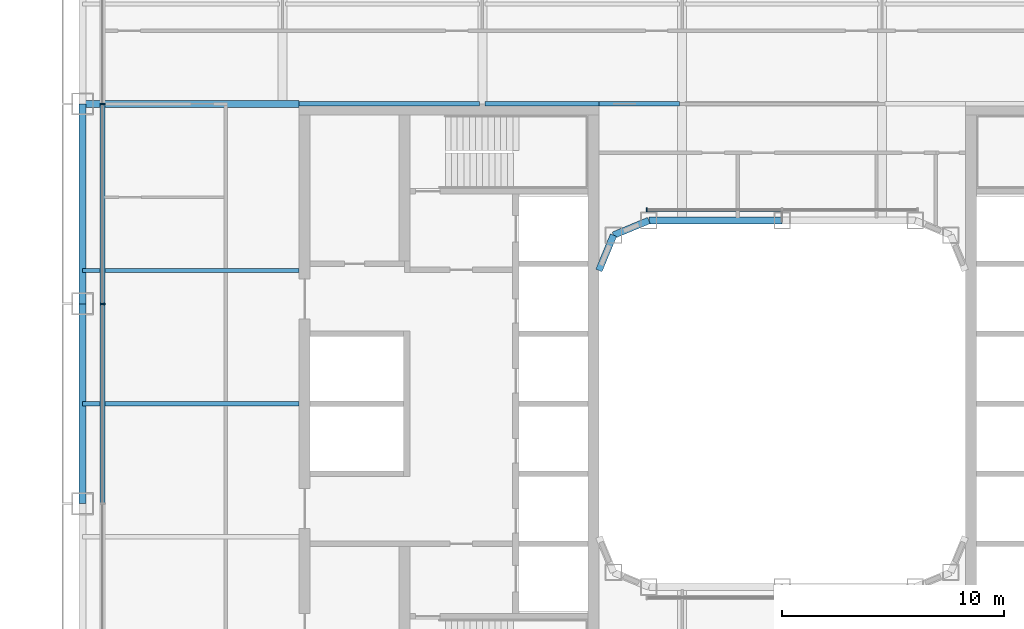
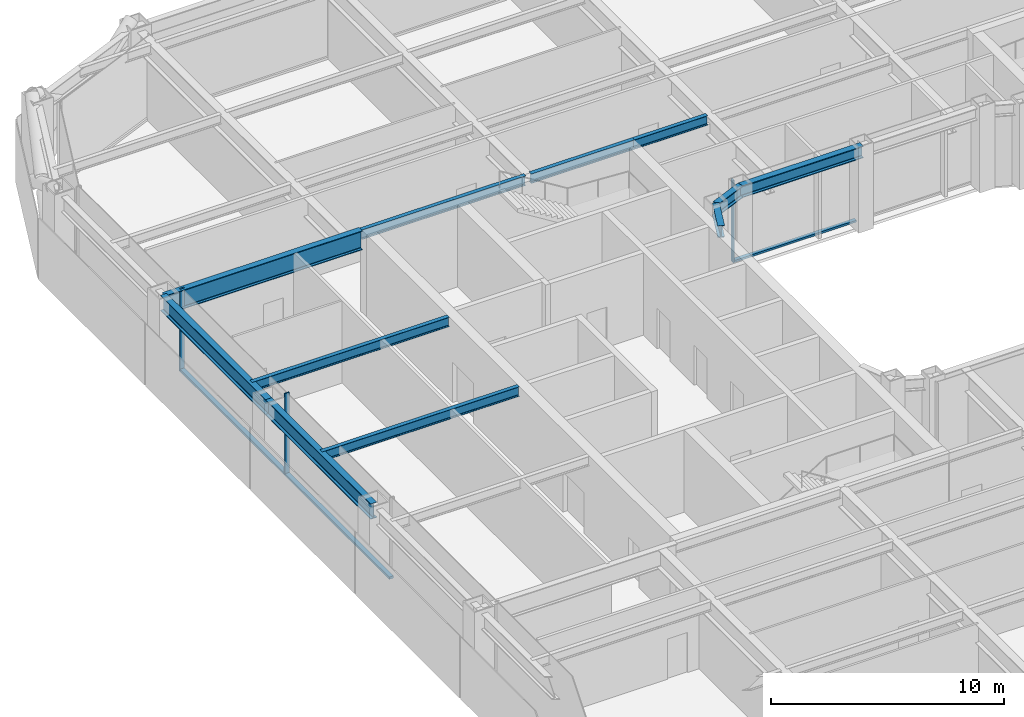
# One storey, part 6 of 27: 11 beams, 6 members, 2 elements without a shape of their own.
"""IFC4 building model written with IfcOpenShell, lengths in metres."""

from ifc_helpers import new_model, si_unit, direction, frame, origin, origin_2d, place, context, subcontext, project, spatial, rectangle, i_section, extrude, material, layer, layer_set, material_profile, profile_set, type_object, element, aggregate, save


model = new_model("IFC4")

# Units and contexts
model_context = context("Model", 3, precision=1e-05, world=origin(), true_north=direction((0.0, 1.0)))
body_context = subcontext(model_context, "Body", "Model", "MODEL_VIEW")
ifc_project = project(units=[si_unit("LENGTHUNIT", "METRE"), si_unit("AREAUNIT", "SQUARE_METRE"), si_unit("VOLUMEUNIT", "CUBIC_METRE"), si_unit("PLANEANGLEUNIT", "RADIAN"), si_unit("MASSUNIT", "GRAM", prefix="KILO")], contexts=[model_context])

# Site, building, storey
site_placement = place(None, origin())
site = spatial("IfcSite", under=ifc_project, at=site_placement, CompositionType="ELEMENT")
building_placement = place(site_placement, origin())
building = spatial("IfcBuilding", under=site, at=building_placement, Name="Siwar Civic Tower", CompositionType="ELEMENT")
storey_placement = place(building_placement, frame((0.0, 0.0, 89.699951171875)))
storey = spatial("IfcBuildingStorey", under=building, at=storey_placement, Name="L19", CompositionType="ELEMENT", Elevation=89.699951171875)

# Curtain wall, members
ifc_material_1 = material(Name="Aluminium and glass", Category="aluminium")
ifc_layer_1 = layer(ifc_material_1, 0.219970703125)
ifc_layer_set_1 = layer_set([ifc_layer_1], Name="Aluminium and glass")
curtain_wall_type_1 = type_object("IfcCurtainWallType", Name="ENV-CW-A", PredefinedType="NOTDEFINED", material=ifc_layer_set_1)
curtain_wall_1_placement = place(storey_placement, origin())
curtain_wall_1 = element("IfcCurtainWall", 1, at=curtain_wall_1_placement, inside=storey, type_object=curtain_wall_type_1, Name="Curtain wall A W", PredefinedType="NOTDEFINED")
ifc_material_2 = material(Name="Aluminium 6063-T6", Category="aluminium")
ifc_material_profile_1 = material_profile(ifc_material_2, rectangle(XDim=0.219970703125, YDim=0.070068359375, at=origin_2d()), Name="AL 220x70")
ifc_profile_set_1 = profile_set([ifc_material_profile_1], Name="Aluminium 6063-T6")
member_type_1 = type_object("IfcMemberType", Name="ENV-MULLION-A", PredefinedType="MULLION", material=ifc_profile_set_1)
member_1_placement = place(storey_placement, frame((-30.60009765625, 13.5, 0.0), z_axis=(0.0, 0.0, 1.0), x_axis=(1.0, 0.0, 0.0)))
member_1 = element("IfcMember", 2, at=member_1_placement, type_object=member_type_1, Name="Mullion A W 2", PredefinedType="MULLION", context=body_context, shape_type="SweptSolid", body=[
    extrude(rectangle(XDim=0.219970703125, YDim=0.070068359375, at=origin_2d()), origin(), (0.0, 0.0, 1.0), 4.300048828125),
])
member_2_placement = place(storey_placement, frame((-30.60009765625, 4.5, 0.0), z_axis=(0.0, 0.0, 1.0), x_axis=(1.0, 0.0, 0.0)))
member_2 = element("IfcMember", 3, at=member_2_placement, type_object=member_type_1, Name="Mullion A W 3", PredefinedType="MULLION", context=body_context, shape_type="SweptSolid", body=[
    extrude(rectangle(XDim=0.219970703125, YDim=0.070068359375, at=origin_2d()), origin(), (0.0, 0.0, 1.0), 4.300048828125),
])

# Curtain wall, member
ifc_material_3 = material(Name="Aluminium and glass", Category="aluminium")
ifc_layer_2 = layer(ifc_material_3, 0.179931640625)
ifc_layer_set_2 = layer_set([ifc_layer_2], Name="Aluminium and glass")
curtain_wall_type_2 = type_object("IfcCurtainWallType", Name="ENV-CW-W", PredefinedType="NOTDEFINED", material=ifc_layer_set_2)
curtain_wall_2_placement = place(storey_placement, origin())
curtain_wall_2 = element("IfcCurtainWall", 4, at=curtain_wall_2_placement, inside=storey, type_object=curtain_wall_type_2, Name="Curtain wall W WN", PredefinedType="NOTDEFINED")
ifc_material_4 = material(Name="Aluminium 6063-T6", Category="aluminium")
ifc_material_profile_2 = material_profile(ifc_material_4, rectangle(XDim=0.179931640625, YDim=0.06005859375, at=origin_2d()), Name="AL 180x60")
ifc_profile_set_2 = profile_set([ifc_material_profile_2], Name="Aluminium 6063-T6")
member_type_2 = type_object("IfcMemberType", Name="ENV-MULLION-W", PredefinedType="MULLION", material=ifc_profile_set_2)
member_3_placement = place(storey_placement, frame((-6.096435546875, 8.735107421875, 0.0), z_axis=(0.0, 0.0, 1.0), x_axis=(0.0, -1.0, 0.0)))
member_3 = element("IfcMember", 5, at=member_3_placement, type_object=member_type_2, Name="Mullion W WN 3", PredefinedType="MULLION", context=body_context, shape_type="SweptSolid", body=[
    extrude(rectangle(XDim=0.179931640625, YDim=0.06005859375, at=origin_2d()), origin(), (0.0, 0.0, 1.0), 4.300048828125),
])

# Member
ifc_material_5 = material(Name="Aluminium 6063-T6", Category="aluminium")
ifc_material_profile_3 = material_profile(ifc_material_5, rectangle(XDim=0.219970703125, YDim=0.1201171875, at=origin_2d()), Name="AL 220x120")
ifc_profile_set_3 = profile_set([ifc_material_profile_3], Name="Aluminium 6063-T6")
member_type_3 = type_object("IfcMemberType", Name="ENV-TRANSOM-A", PredefinedType="USERDEFINED", material=ifc_profile_set_3)
member_4_placement = place(storey_placement, frame((-30.60009765625, 13.465087890625, 0.06005859375), z_axis=(0.0, -1.0, 0.0), x_axis=(1.0, 0.0, 0.0)))
member_4 = element("IfcMember", 6, at=member_4_placement, type_object=member_type_3, Name="Transom A W 2", ObjectType="TRANSOM", PredefinedType="USERDEFINED", context=body_context, shape_type="SweptSolid", body=[
    extrude(rectangle(XDim=0.219970703125, YDim=0.1201171875, at=origin_2d()), origin(), (0.0, 0.0, 1.0), 8.93017578125),
])

member_5_placement = place(storey_placement, frame((-30.60009765625, 4.465087890625, 0.06005859375), z_axis=(0.0, -1.0, 0.0), x_axis=(1.0, 0.0, 0.0)))
member_5 = element("IfcMember", 7, at=member_5_placement, type_object=member_type_3, Name="Transom A W 3", ObjectType="TRANSOM", PredefinedType="USERDEFINED", context=body_context, shape_type="SweptSolid", body=[
    extrude(rectangle(XDim=0.219970703125, YDim=0.1201171875, at=origin_2d()), origin(), (0.0, 0.0, 1.0), 8.93017578125),
])

aggregate(curtain_wall_1, [member_1, member_2, member_4, member_5])

ifc_material_6 = material(Name="Aluminium 6063-T6", Category="aluminium")
ifc_material_profile_4 = material_profile(ifc_material_6, rectangle(XDim=0.179931640625, YDim=0.10009765625, at=origin_2d()), Name="AL 180x100")
ifc_profile_set_4 = profile_set([ifc_material_profile_4], Name="Aluminium 6063-T6")
member_type_4 = type_object("IfcMemberType", Name="ENV-TRANSOM-W", PredefinedType="USERDEFINED", material=ifc_profile_set_4)
member_6_placement = place(storey_placement, frame((-0.030029296875, 8.735107421875, 0.050048828125), z_axis=(-1.0, 0.0, 0.0), x_axis=(0.0, -1.0, 0.0)))
member_6 = element("IfcMember", 8, at=member_6_placement, type_object=member_type_4, Name="Transom W WN 2", ObjectType="TRANSOM", PredefinedType="USERDEFINED", context=body_context, shape_type="SweptSolid", body=[
    extrude(rectangle(XDim=0.179931640625, YDim=0.10009765625, at=origin_2d()), origin(), (0.0, 0.0, 1.0), 6.036376953125),
])

aggregate(curtain_wall_2, [member_3, member_6])

# Beams
ifc_material_7 = material(Name="Steel S355", Category="steel")
ifc_material_profile_5 = material_profile(ifc_material_7, i_section(OverallWidth=0.199951171875, OverallDepth=0.5, WebThickness=0.01025390625, FlangeThickness=0.01611328125, FilletRadius=0.02099609375, at=origin_2d()), Name="IPE500")
ifc_profile_set_5 = profile_set([ifc_material_profile_5], Name="Steel S355")
beam_type_1 = type_object("IfcBeamType", Name="STR-FB-IPE500", PredefinedType="JOIST", material=ifc_profile_set_5)
for number, where, z_axis, x_axis, name in (
    (9, (-31.5, 0.0, 4.050048828125), (1.0, 0.0, 0.0), (0.0, 1.0, 0.0), "L19/bm/F033"),
    (10, (-31.5, 6.0, 4.050048828125), (1.0, 0.0, 0.0), (0.0, 1.0, 0.0), "L19/bm/F035"),
):
    element("IfcBeam", number, at=place(storey_placement, frame(where, z_axis=z_axis, x_axis=x_axis)), inside=storey, type_object=beam_type_1, Name=name, PredefinedType="JOIST", context=body_context, shape_type="SweptSolid", body=[
        extrude(i_section(OverallWidth=0.199951171875, OverallDepth=0.5, WebThickness=0.01025390625, FlangeThickness=0.01611328125, FilletRadius=0.02099609375, at=origin_2d()), origin(), (0.0, 0.0, 1.0), 9.75),
    ])
beam_1_placement = place(storey_placement, frame((-21.75, 13.5, 4.050048828125), z_axis=(1.0, 0.0, 0.0), x_axis=(0.0, 1.0, 0.0)))
element("IfcBeam", 11, at=beam_1_placement, inside=storey, type_object=beam_type_1, Name="L19/bm/F038", PredefinedType="JOIST", context=body_context, shape_type="SweptSolid", body=[
    extrude(i_section(OverallWidth=0.199951171875, OverallDepth=0.5, WebThickness=0.01025390625, FlangeThickness=0.01611328125, FilletRadius=0.02099609375, at=origin_2d()), origin(), (0.0, 0.0, 1.0), 8.1201171875),
])
beam_2_placement = place(storey_placement, frame((-13.3701171875, 13.5, 4.050048828125), z_axis=(1.0, 0.0, 0.0), x_axis=(0.0, 1.0, 0.0)))
element("IfcBeam", 12, at=beam_2_placement, inside=storey, type_object=beam_type_1, Name="L19/bm/F039", PredefinedType="JOIST", context=body_context, shape_type="SweptSolid", body=[
    extrude(i_section(OverallWidth=0.199951171875, OverallDepth=0.5, WebThickness=0.01025390625, FlangeThickness=0.01611328125, FilletRadius=0.02099609375, at=origin_2d()), origin(), (0.0, 0.0, 1.0), 5.1201171875),
])
beam_3_placement = place(storey_placement, frame((-8.25, 13.5, 4.050048828125), z_axis=(1.0, 0.0, 0.0), x_axis=(0.0, 1.0, 0.0)))
element("IfcBeam", 13, at=beam_3_placement, inside=storey, type_object=beam_type_1, Name="L19/bm/F040", PredefinedType="JOIST", context=body_context, shape_type="SweptSolid", body=[
    extrude(i_section(OverallWidth=0.199951171875, OverallDepth=0.5, WebThickness=0.01025390625, FlangeThickness=0.01611328125, FilletRadius=0.02099609375, at=origin_2d()), origin(), (0.0, 0.0, 1.0), 3.6201171875),
])
ifc_material_8 = material(Name="Steel S355", Category="steel")
ifc_material_profile_6 = material_profile(ifc_material_8, i_section(OverallWidth=0.300048828125, OverallDepth=1.0, WebThickness=0.01904296875, FlangeThickness=0.035888671875, FilletRadius=0.030029296875, at=origin_2d()), Name="HEB1000")
ifc_profile_set_6 = profile_set([ifc_material_profile_6], Name="Steel S355")
beam_type_2 = type_object("IfcBeamType", Name="STR-PG-HEB1000", PredefinedType="BEAM", material=ifc_profile_set_6)
beam_4_placement = place(storey_placement, frame((-31.5, 13.5, 3.800048828125), z_axis=(1.0, 0.0, 0.0), x_axis=(0.0, 1.0, 0.0)))
element("IfcBeam", 14, at=beam_4_placement, inside=storey, type_object=beam_type_2, Name="L19/bm/F037", PredefinedType="BEAM", context=body_context, shape_type="SweptSolid", body=[
    extrude(i_section(OverallWidth=0.300048828125, OverallDepth=1.0, WebThickness=0.01904296875, FlangeThickness=0.035888671875, FilletRadius=0.030029296875, at=origin_2d()), origin(), (0.0, 0.0, 1.0), 9.75),
])
ifc_material_9 = material(Name="Steel S355", Category="steel")
ifc_material_profile_7 = material_profile(ifc_material_9, i_section(OverallWidth=0.304931640625, OverallDepth=0.6201171875, WebThickness=0.02099609375, FlangeThickness=0.0400390625, FilletRadius=0.027099609375, at=origin_2d()), Name="HEM600")
ifc_profile_set_7 = profile_set([ifc_material_profile_7], Name="Steel S355")
beam_type_3 = type_object("IfcBeamType", Name="STR-RB-HEM600", PredefinedType="BEAM", material=ifc_profile_set_7)
beam_5_placement = place(storey_placement, frame((-7.591064453125, 7.591064453125, 3.989990234375), z_axis=(0.923901072997, 0.382631424892, 0.0), x_axis=(-0.382631424892, 0.923901072997, 0.0)))
element("IfcBeam", 15, at=beam_5_placement, inside=storey, type_object=beam_type_3, Name="L19/bm/RN0", PredefinedType="BEAM", context=body_context, shape_type="SweptSolid", body=[
    extrude(i_section(OverallWidth=0.304931640625, OverallDepth=0.6201171875, WebThickness=0.02099609375, FlangeThickness=0.0400390625, FilletRadius=0.027099609375, at=origin_2d()), origin(), (0.0, 0.0, 1.0), 1.72216796875),
])
beam_6_placement = place(storey_placement, frame((-6.0, 8.25, 3.989990234375), z_axis=(1.0, 0.0, 0.0), x_axis=(0.0, 1.0, 0.0)))
element("IfcBeam", 16, at=beam_6_placement, inside=storey, type_object=beam_type_3, Name="L19/bm/RN1", PredefinedType="BEAM", context=body_context, shape_type="SweptSolid", body=[
    extrude(i_section(OverallWidth=0.304931640625, OverallDepth=0.6201171875, WebThickness=0.02099609375, FlangeThickness=0.0400390625, FilletRadius=0.027099609375, at=origin_2d()), origin(), (0.0, 0.0, 1.0), 6.0),
])
beam_7_placement = place(storey_placement, frame((-7.591064453125, 7.591064453125, 3.989990234375), z_axis=(-0.382631424892, -0.923901072997, 0.0), x_axis=(0.923901072997, -0.382631424892, 0.0)))
element("IfcBeam", 17, at=beam_7_placement, inside=storey, type_object=beam_type_3, Name="L19/bm/RNEW", PredefinedType="BEAM", context=body_context, shape_type="SweptSolid", body=[
    extrude(i_section(OverallWidth=0.304931640625, OverallDepth=0.6201171875, WebThickness=0.02099609375, FlangeThickness=0.0400390625, FilletRadius=0.027099609375, at=origin_2d()), origin(), (0.0, 0.0, 1.0), 1.72216796875),
])
ifc_material_10 = material(Name="Steel S355", Category="steel")
ifc_material_profile_8 = material_profile(ifc_material_10, i_section(OverallWidth=0.302978515625, OverallDepth=0.81396484375, WebThickness=0.02099609375, FlangeThickness=0.0400390625, FilletRadius=0.030029296875, at=origin_2d()), Name="HEM800")
ifc_profile_set_8 = profile_set([ifc_material_profile_8], Name="Steel S355")
beam_type_4 = type_object("IfcBeamType", Name="STR-SB-HEM800", PredefinedType="BEAM", material=ifc_profile_set_8)
for number, where, z_axis, x_axis, name in (
    (18, (-31.5, 13.5, 3.89306640625), (0.0, -1.0, 0.0), (1.0, 0.0, 0.0), "L19/bm/SW-1"),
    (19, (-31.5, 4.5, 3.89306640625), (0.0, -1.0, 0.0), (1.0, 0.0, 0.0), "L19/bm/SW-2"),
):
    element("IfcBeam", number, at=place(storey_placement, frame(where, z_axis=z_axis, x_axis=x_axis)), inside=storey, type_object=beam_type_4, Name=name, PredefinedType="BEAM", context=body_context, shape_type="SweptSolid", body=[
        extrude(i_section(OverallWidth=0.302978515625, OverallDepth=0.81396484375, WebThickness=0.02099609375, FlangeThickness=0.0400390625, FilletRadius=0.030029296875, at=origin_2d()), origin(), (0.0, 0.0, 1.0), 9.0),
    ])

save(model, "model.ifc")
